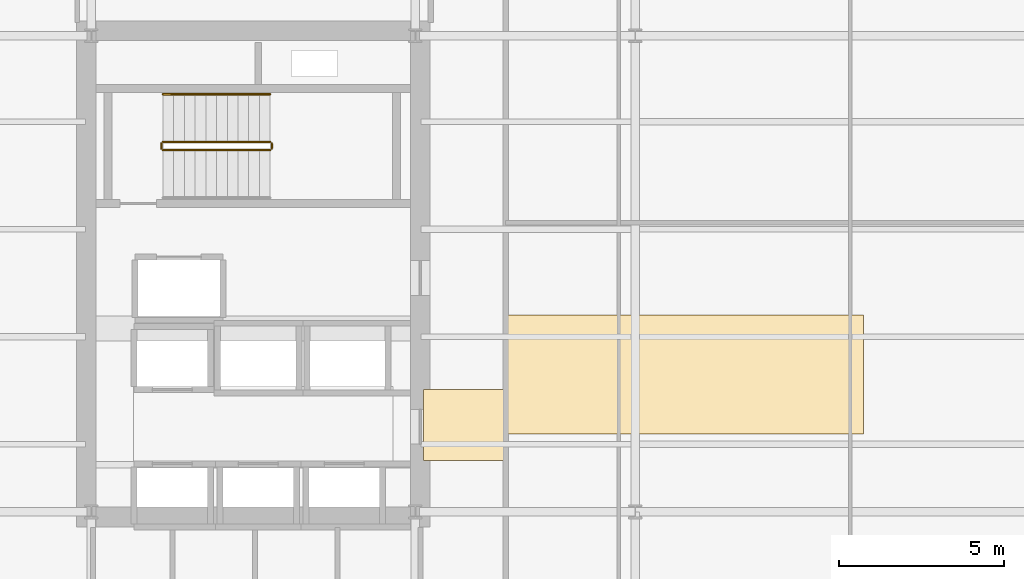
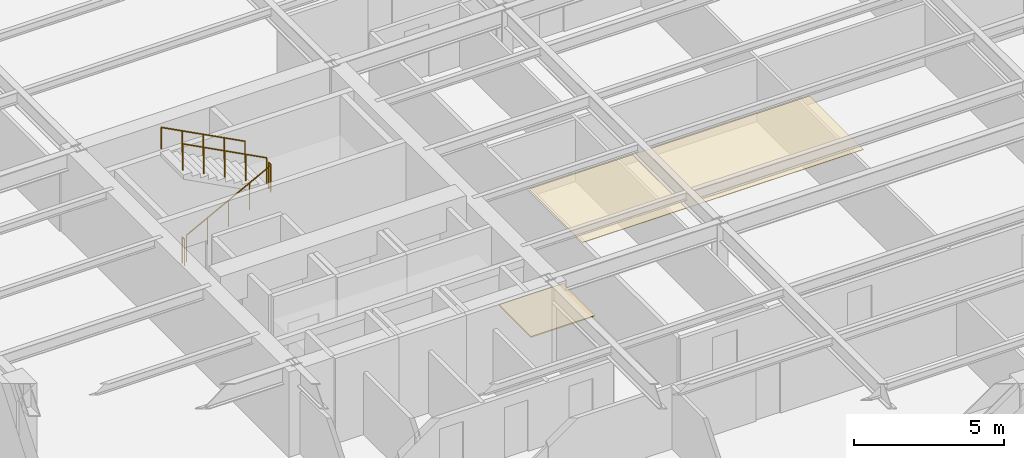
# One storey, part 9 of 11: 5 railings, 2 coverings.
"""IFC4 building model written with IfcOpenShell, lengths in metres."""

from ifc_helpers import new_model, si_unit, direction, frame, origin, origin_2d, place, context, subcontext, project, spatial, polyline, circle, outline, extrude, material, layer, layer_set, type_object, element, save


model = new_model("IFC4")

# Units and contexts
model_context = context("Model", 3, precision=1e-05, world=origin(), true_north=direction((0.0, 1.0)))
body_context = subcontext(model_context, "Body", "Model", "MODEL_VIEW")
ifc_project = project(units=[si_unit("LENGTHUNIT", "METRE"), si_unit("AREAUNIT", "SQUARE_METRE"), si_unit("VOLUMEUNIT", "CUBIC_METRE"), si_unit("PLANEANGLEUNIT", "RADIAN"), si_unit("MASSUNIT", "GRAM", prefix="KILO")], contexts=[model_context])

# Site, building, storey
site_placement = place(None, origin())
site = spatial("IfcSite", under=ifc_project, at=site_placement, CompositionType="ELEMENT")
building_placement = place(site_placement, origin())
building = spatial("IfcBuilding", under=site, at=building_placement, Name="Kolvaren Arena Tower", CompositionType="ELEMENT")
storey_placement = place(building_placement, frame((0.0, 0.0, 158.449951171875)))
storey = spatial("IfcBuildingStorey", under=building, at=storey_placement, Name="L37", CompositionType="ELEMENT", Elevation=158.449951171875)

# Coverings
ifc_material_1 = material(Name="Mineral fibre acoustic ceiling tile", Category="gypsum")
ifc_layer_1 = layer(ifc_material_1, 0.02490234375)
ifc_layer_set_1 = layer_set([ifc_layer_1], Name="Mineral fibre acoustic ceiling tile")
covering_type_1 = type_object("IfcCoveringType", Name="CEIL-ACT-1", PredefinedType="CEILING", material=ifc_layer_set_1)
covering_1_placement = place(storey_placement, frame((0.0, 0.0, 2.52001953125)))
element("IfcCovering", 1, at=covering_1_placement, inside=storey, type_object=covering_type_1, Name="Suspended Ceiling (L37)", PredefinedType="CEILING", context=body_context, shape_type="SweptSolid", body=[
    extrude(outline(polyline([(27.050048828125, 21.800048828125), (27.050048828125, 25.39990234375), (37.89990234375, 25.39990234375), (37.89990234375, 21.800048828125), (27.050048828125, 21.800048828125)])), origin(), (0.0, 0.0, 1.0), 0.025146484375),
])
ifc_material_2 = material(Name="Raised access office floor finish", Category="aluminium")
ifc_layer_2 = layer(ifc_material_2, 0.044921875)
ifc_layer_set_2 = layer_set([ifc_layer_2], Name="Raised access office floor finish")
covering_type_2 = type_object("IfcCoveringType", Name="FLOR-RAF-1", PredefinedType="FLOORING", material=ifc_layer_set_2)
covering_2_placement = place(storey_placement, origin())
element("IfcCovering", 2, at=covering_2_placement, inside=storey, type_object=covering_type_2, Name="Floor Finish (L37)", PredefinedType="FLOORING", context=body_context, shape_type="SweptSolid", body=[
    extrude(outline(polyline([(24.60009765625, 21.0), (24.60009765625, 23.14990234375), (27.080078125, 23.14990234375), (27.080078125, 21.0), (24.60009765625, 21.0)])), origin(), (0.0, 0.0, 1.0), 0.045166015625),
])

# Railings
ifc_material_3 = material(Name="Painted galvanized steel", Category="steel")
railing_type_1 = type_object("IfcRailingType", Name="GUARD-ST-110", PredefinedType="GUARDRAIL", material=ifc_material_3)
railing_1_placement = place(storey_placement, frame((16.719970703125, 30.389892578125, 0.17041015625)))
element("IfcRailing", 3, at=railing_1_placement, inside=storey, type_object=railing_type_1, Name="L37 ST-W1 stair guard 1", PredefinedType="GUARDRAIL", context=body_context, shape_type="SweptSolid", body=[
    extrude(circle(Radius=0.02392578125, at=origin_2d()), frame((0.0, 0.0, 1.076171875), z_axis=(0.884993431791, 0.0, 0.465603506952), x_axis=(0.0, 1.0, 0.0)), (0.0, 0.0, 1.0), 3.6611328125),
    extrude(circle(Radius=0.02099609375, at=origin_2d()), origin(), (0.0, 0.0, 1.0), 1.052001953125),
    extrude(circle(Radius=0.02099609375, at=origin_2d()), frame((0.81005859375, 0.0, 0.42626953125)), (0.0, 0.0, 1.0), 1.052001953125),
    extrude(circle(Radius=0.02099609375, at=origin_2d()), frame((1.6201171875, 0.0, 0.852294921875)), (0.0, 0.0, 1.0), 1.052001953125),
    extrude(circle(Radius=0.02099609375, at=origin_2d()), frame((2.429931640625, 0.0, 1.2783203125)), (0.0, 0.0, 1.0), 1.052001953125),
    extrude(circle(Radius=0.02099609375, at=origin_2d()), frame((3.239990234375, 0.0, 1.70458984375)), (0.0, 0.0, 1.0), 1.052001953125),
])
railing_2_placement = place(storey_placement, frame((20.010009765625, 30.43994140625, 1.875)))
element("IfcRailing", 4, at=railing_2_placement, inside=storey, type_object=railing_type_1, Name="L37 ST-W1 stair guard 2", PredefinedType="GUARDRAIL", context=body_context, shape_type="SweptSolid", body=[
    extrude(circle(Radius=0.02392578125, at=origin_2d()), frame((0.0, 0.0, 1.076171875), z_axis=(0.0, 1.0, 0.0), x_axis=(-1.0, 0.0, 0.0)), (0.0, 0.0, 1.0), 0.150146484375),
    extrude(circle(Radius=0.02099609375, at=origin_2d()), origin(), (0.0, 0.0, 1.0), 1.052001953125),
    extrude(circle(Radius=0.02099609375, at=origin_2d()), frame((0.0, 0.150146484375, 0.0)), (0.0, 0.0, 1.0), 1.052001953125),
])
railing_3_placement = place(storey_placement, frame((19.9599609375, 30.639892578125, 2.04541015625)))
element("IfcRailing", 5, at=railing_3_placement, inside=storey, type_object=railing_type_1, Name="L37 ST-W1 stair guard 3", PredefinedType="GUARDRAIL", context=body_context, shape_type="SweptSolid", body=[
    extrude(circle(Radius=0.02392578125, at=origin_2d()), frame((0.0, 0.0, 1.076171875), z_axis=(-0.884993431791, 0.0, 0.465603506952), x_axis=(0.0, -1.0, 0.0)), (0.0, 0.0, 1.0), 3.6611328125),
    extrude(circle(Radius=0.02099609375, at=origin_2d()), origin(), (0.0, 0.0, 1.0), 1.052001953125),
    extrude(circle(Radius=0.02099609375, at=origin_2d()), frame((-0.81005859375, 0.0, 0.42626953125)), (0.0, 0.0, 1.0), 1.052001953125),
    extrude(circle(Radius=0.02099609375, at=origin_2d()), frame((-1.6201171875, 0.0, 0.852294921875)), (0.0, 0.0, 1.0), 1.052001953125),
    extrude(circle(Radius=0.02099609375, at=origin_2d()), frame((-2.429931640625, 0.0, 1.2783203125)), (0.0, 0.0, 1.0), 1.052001953125),
    extrude(circle(Radius=0.02099609375, at=origin_2d()), frame((-3.239990234375, 0.0, 1.70458984375)), (0.0, 0.0, 1.0), 1.052001953125),
])
railing_4_placement = place(storey_placement, frame((16.669921875, 30.43994140625, 0.0)))
element("IfcRailing", 6, at=railing_4_placement, inside=storey, type_object=railing_type_1, Name="L37 ST-W1 stair guard 4", PredefinedType="GUARDRAIL", context=body_context, shape_type="SweptSolid", body=[
    extrude(circle(Radius=0.02392578125, at=origin_2d()), frame((0.0, 0.0, 1.076171875), z_axis=(0.0, 1.0, 0.0), x_axis=(-1.0, 0.0, 0.0)), (0.0, 0.0, 1.0), 0.150146484375),
    extrude(circle(Radius=0.02099609375, at=origin_2d()), origin(), (0.0, 0.0, 1.0), 1.052001953125),
    extrude(circle(Radius=0.02099609375, at=origin_2d()), frame((0.0, 0.150146484375, 0.0)), (0.0, 0.0, 1.0), 1.052001953125),
])
ifc_material_4 = material(Name="Brushed stainless steel handrail", Category="steel")
railing_type_2 = type_object("IfcRailingType", Name="HRAIL-900", PredefinedType="HANDRAIL", material=ifc_material_4)
railing_5_placement = place(storey_placement, frame((19.9599609375, 32.080078125, 2.04541015625)))
element("IfcRailing", 7, at=railing_5_placement, inside=storey, type_object=railing_type_2, Name="L37 ST-W1 stair handrail 2", PredefinedType="HANDRAIL", context=body_context, shape_type="SweptSolid", body=[
    extrude(circle(Radius=0.02392578125, at=origin_2d()), frame((0.0, 0.0, 0.8759765625), z_axis=(-0.884993431791, 0.0, 0.465603506952), x_axis=(0.0, -1.0, 0.0)), (0.0, 0.0, 1.0), 3.6611328125),
    extrude(circle(Radius=0.02099609375, at=origin_2d()), origin(), (0.0, 0.0, 1.0), 0.851806640625),
    extrude(circle(Radius=0.02099609375, at=origin_2d()), frame((-0.81005859375, 0.0, 0.42626953125)), (0.0, 0.0, 1.0), 0.851806640625),
    extrude(circle(Radius=0.02099609375, at=origin_2d()), frame((-1.6201171875, 0.0, 0.852294921875)), (0.0, 0.0, 1.0), 0.851806640625),
    extrude(circle(Radius=0.02099609375, at=origin_2d()), frame((-2.429931640625, 0.0, 1.2783203125)), (0.0, 0.0, 1.0), 0.851806640625),
    extrude(circle(Radius=0.02099609375, at=origin_2d()), frame((-3.239990234375, 0.0, 1.70458984375)), (0.0, 0.0, 1.0), 0.851806640625),
])

save(model, "model.ifc")
